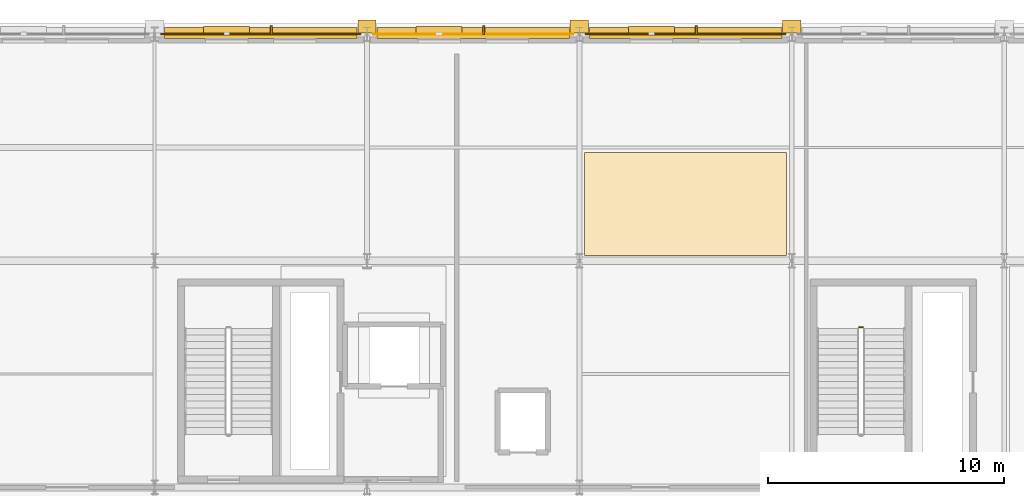
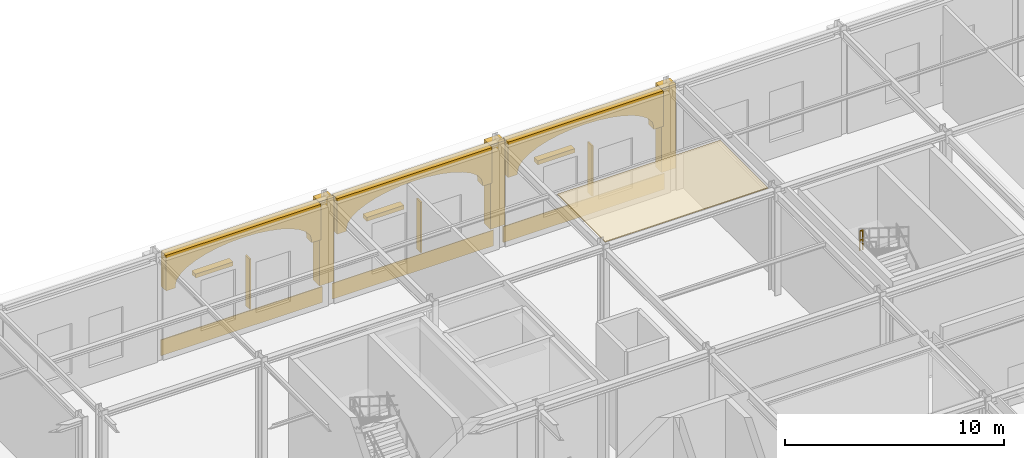
# One storey, part 109 of 113: 10 coverings, 6 shading devices, 1 railing.
"""IFC4 building model written with IfcOpenShell, lengths in metres."""

import ifcopenshell
import ifcopenshell.guid

model = None  # the IFC model being written
_history = None  # IfcOwnerHistory: only IFC2X3 demands one
_inside = {}  # id of a spatial element -> (the spatial element, [elements in it])
_under = {}  # id of a project, library or spatial element -> (it, [spatial elements below it])
_declared = {}  # id of a project -> (the project, [libraries it declares])
_typed = {}  # id of a type object -> (the type object, [elements of that type])
_made_of = {}  # id of a material, layer set ... -> (it, [elements and type objects made of it])


def new_model(schema):
    """Start an empty IFC model of exactly this schema.

    Asked for "IFC4X3", IfcOpenShell would pick the latest addendum, in which some entities
    have other attributes; the version numbers below select the first issue.
    IFC2X3 requires an IfcOwnerHistory on every rooted entity: one is made here for all.
    """
    global model, _history
    if schema == "IFC4X3":
        model = ifcopenshell.file(schema_version=(4, 3, 0, 0))
    else:
        model = ifcopenshell.file(schema=schema)
    _inside.clear()
    _under.clear()
    _declared.clear()
    _typed.clear()
    _made_of.clear()
    _history = None
    if model.schema == "IFC2X3":
        org = make("IfcOrganization", Name="unknown")
        user = make(
            "IfcPersonAndOrganization",
            ThePerson=make("IfcPerson", FamilyName="unknown"),
            TheOrganization=org,
        )
        app = make(
            "IfcApplication",
            ApplicationDeveloper=org,
            Version="unknown",
            ApplicationFullName="unknown",
            ApplicationIdentifier="unknown",
        )
        _history = make(
            "IfcOwnerHistory",
            OwningUser=user,
            OwningApplication=app,
            ChangeAction="ADDED",
            CreationDate=0,
        )
    return model


def make(cls, **values):
    """One entity of the class cls with the attributes given. An attribute that is None is left unset."""
    return model.create_entity(
        cls, **{name: value for name, value in values.items() if value is not None}
    )


def rooted(cls, **values):
    """An entity with a GlobalId (a new one), such as an element, a storey or a relation."""
    return make(cls, GlobalId=ifcopenshell.guid.new(), OwnerHistory=_history, **values)


def si_unit(unit_type, name, prefix=None):
    """IfcSIUnit, for example si_unit("LENGTHUNIT", "METRE", prefix="MILLI")."""
    return make("IfcSIUnit", UnitType=unit_type, Prefix=prefix, Name=name)


def assignment(units):
    """IfcUnitAssignment: the units of a project."""
    return None if units is None else make("IfcUnitAssignment", Units=units)


def point(xyz):
    """IfcCartesianPoint."""
    return None if xyz is None else make("IfcCartesianPoint", Coordinates=xyz)


def direction(xyz):
    """IfcDirection."""
    return None if xyz is None else make("IfcDirection", DirectionRatios=xyz)


def frame(location, z_axis=None, x_axis=None):
    """IfcAxis2Placement3D, a coordinate frame: its origin and axes. An axis left out is left unset."""
    return make(
        "IfcAxis2Placement3D",
        Location=point(location),
        Axis=direction(z_axis),
        RefDirection=direction(x_axis),
    )


def frame_2d(location, x_axis=None):
    """IfcAxis2Placement2D, a coordinate frame in the plane: its origin and x axis."""
    return make(
        "IfcAxis2Placement2D", Location=point(location), RefDirection=direction(x_axis)
    )


def origin():
    """The frame at (0, 0, 0) with its axes left unset."""
    return frame((0.0, 0.0, 0.0))


def origin_2d():
    """The frame at (0, 0) in the plane with its x axis left unset."""
    return frame_2d((0.0, 0.0))


def place(relative_to, where):
    """IfcLocalPlacement: puts the frame where relative to a parent placement (None: the world)."""
    return make(
        "IfcLocalPlacement", PlacementRelTo=relative_to, RelativePlacement=where
    )


def context(
    kind, dimensions, precision=None, world=None, true_north=None, identifier=None
):
    """IfcGeometricRepresentationContext, for example the 3D "Model" context."""
    return make(
        "IfcGeometricRepresentationContext",
        ContextIdentifier=identifier,
        ContextType=kind,
        CoordinateSpaceDimension=dimensions,
        Precision=precision,
        WorldCoordinateSystem=world,
        TrueNorth=true_north,
    )


def subcontext(parent, identifier, kind, view, scale=None):
    """IfcGeometricRepresentationSubContext, for example "Body" below "Model"."""
    return make(
        "IfcGeometricRepresentationSubContext",
        ContextIdentifier=identifier,
        ContextType=kind,
        ParentContext=parent,
        TargetScale=scale,
        TargetView=view,
    )


def project(units=None, contexts=None):
    """IfcProject with its units and contexts."""
    return rooted(
        "IfcProject",
        Name="project",
        RepresentationContexts=contexts,
        UnitsInContext=assignment(units),
    )


def spatial(cls, under=None, at=None, **own):
    """A site, building, storey or space (cls), placed at a placement, below another one or the project."""
    s = rooted(cls, ObjectPlacement=at, **own)
    if under is not None:
        _under.setdefault(under.id(), (under, []))[1].append(s)
    return s


def polyline(points):
    """IfcPolyline through the points."""
    return make("IfcPolyline", Points=[point(p) for p in points])


def profile(cls, at=None, kind="AREA", **sizes):
    """A parametric profile (cls). Its sizes go by their IFC names, for example OverallWidth=200.0."""
    return make(cls, ProfileType=kind, Position=at, **sizes)


def rectangle(**sizes):
    """IfcRectangleProfileDef."""
    return profile("IfcRectangleProfileDef", **sizes)


def outline(outer, holes=None, kind="AREA"):
    """IfcArbitraryClosedProfileDef: a profile drawn as a closed curve; with holes, ...WithVoids."""
    if holes is None:
        return make("IfcArbitraryClosedProfileDef", ProfileType=kind, OuterCurve=outer)
    return make(
        "IfcArbitraryProfileDefWithVoids",
        ProfileType=kind,
        OuterCurve=outer,
        InnerCurves=holes,
    )


def extrude(swept, where, along, depth):
    """IfcExtrudedAreaSolid: the profile swept, set in the frame where, extruded along a direction by depth."""
    return make(
        "IfcExtrudedAreaSolid",
        SweptArea=swept,
        Position=where,
        ExtrudedDirection=direction(along),
        Depth=depth,
    )


def shape(context_of_items, identifier, shape_type, items):
    """IfcShapeRepresentation: the items that make up one representation, for example the "Body"."""
    return make(
        "IfcShapeRepresentation",
        ContextOfItems=context_of_items,
        RepresentationIdentifier=identifier,
        RepresentationType=shape_type,
        Items=items,
    )


def material(Name=None, Category=None):
    """IfcMaterial."""
    return make("IfcMaterial", Name=Name, Category=Category)


def layer(
    of_material, thickness, ventilated=None, Name=None, Category=None, Priority=None
):
    """IfcMaterialLayer: one layer of a wall or slab, of a material (None: an air gap)."""
    return make(
        "IfcMaterialLayer",
        Material=of_material,
        LayerThickness=thickness,
        IsVentilated=ventilated,
        Name=Name,
        Category=Category,
        Priority=Priority,
    )


def layer_set(layers, Name=None):
    """IfcMaterialLayerSet."""
    return make("IfcMaterialLayerSet", MaterialLayers=layers, LayerSetName=Name)


def made_of(thing, what):
    """Note that an element or type object is made of a material, layer set ...; save() writes the relation."""
    if what is not None:
        _made_of.setdefault(what.id(), (what, []))[1].append(thing)
    return thing


def type_object(cls, material=None, **own):
    """A type object (cls), such as IfcWallType, which elements share."""
    return made_of(rooted(cls, **own), material)


def element(
    cls,
    number,
    at=None,
    inside=None,
    cuts=None,
    type_object=None,
    material=None,
    context=None,
    identifier="Body",
    shape_type=None,
    held_by="IfcProductDefinitionShape",
    body=None,
    shapes=None,
    **own,
):
    """One element of the class cls, such as IfcWall. Its Tag is "e" and its number.

    at: its placement. inside: the storey or other place that contains it. cuts: it is an
    opening in that element (IfcRelVoidsElement). A single representation is given by context,
    identifier, shape_type and body (its items); several are given by shapes. held_by: the class
    of the entity that holds the representations. save() writes the other relations.
    """
    e = rooted(cls, Tag="e%d" % number, ObjectPlacement=at, **own)
    if body is not None:
        shapes = [shape(context, identifier, shape_type, body)]
    if shapes is not None:
        e.Representation = make(held_by, Representations=shapes)
    if inside is not None:
        _inside.setdefault(inside.id(), (inside, []))[1].append(e)
    if cuts is not None:
        rooted(
            "IfcRelVoidsElement", RelatingBuildingElement=cuts, RelatedOpeningElement=e
        )
    if type_object is not None:
        _typed.setdefault(type_object.id(), (type_object, []))[1].append(e)
    return made_of(e, material)


def aggregate(whole, parts):
    """IfcRelAggregates: a whole, such as a stair, and the parts it consists of."""
    return rooted("IfcRelAggregates", RelatingObject=whole, RelatedObjects=parts)


def save(model, path):
    """Write the relations noted so far, then the file.

    IfcRelAggregates (storeys below a building ...), IfcRelContainedInSpatialStructure (elements
    in a storey), IfcRelDefinesByType, IfcRelAssociatesMaterial and IfcRelDeclares: one each for
    every whole, place, type object, material and project.
    """
    for whole, parts in _under.values():
        aggregate(whole, parts)
    for where, things in _inside.values():
        rooted(
            "IfcRelContainedInSpatialStructure",
            RelatedElements=things,
            RelatingStructure=where,
        )
    for kind, things in _typed.values():
        rooted("IfcRelDefinesByType", RelatedObjects=things, RelatingType=kind)
    for what, things in _made_of.values():
        rooted("IfcRelAssociatesMaterial", RelatedObjects=things, RelatingMaterial=what)
    for by, libraries in _declared.values():
        rooted("IfcRelDeclares", RelatingContext=by, RelatedDefinitions=libraries)
    model.write(path)


model = new_model("IFC4")

# Units and contexts
model_context = context("Model", 3, precision=1e-05, world=origin(), true_north=direction((0.0, 1.0)))
body_context = subcontext(model_context, "Body", "Model", "MODEL_VIEW")
ifc_project = project(units=[si_unit("LENGTHUNIT", "METRE"), si_unit("AREAUNIT", "SQUARE_METRE"), si_unit("VOLUMEUNIT", "CUBIC_METRE"), si_unit("PLANEANGLEUNIT", "RADIAN"), si_unit("MASSUNIT", "GRAM", prefix="KILO")], contexts=[model_context])

# Site, building, storey
site_placement = place(None, origin())
site = spatial("IfcSite", under=ifc_project, at=site_placement, CompositionType="ELEMENT")
building_placement = place(site_placement, origin())
building = spatial("IfcBuilding", under=site, at=building_placement, Name="Myrtia Square Station", CompositionType="ELEMENT")
storey_placement = place(building_placement, origin())
storey = spatial("IfcBuildingStorey", under=building, at=storey_placement, Name="L00", CompositionType="ELEMENT", Elevation=0.0)

# Coverings
ifc_material_1 = material(Name="Pentelic marble ashlar", Category="masonry")
ifc_layer_1 = layer(ifc_material_1, 0.4599609375, Name="Pentelic marble ashlar")
ifc_layer_set_1 = layer_set([ifc_layer_1], Name="Pentelic marble ashlar")
covering_type_1 = type_object("IfcCoveringType", Name="COV-ARCH-ASHLAR", PredefinedType="CLADDING", material=ifc_layer_set_1)
for number, where, z_axis, x_axis, name in (
    (1, (126.419921875, 124.85009765625, 3.64990234375), (0.0, 0.0, 1.0), (1.0, 0.0, 0.0), "North boulevard facade arch spandrel 030"),
    (2, (135.419921875, 124.85009765625, 3.64990234375), (0.0, 0.0, 1.0), (1.0, 0.0, 0.0), "North boulevard facade arch spandrel 032"),
    (3, (144.419921875, 124.85009765625, 3.64990234375), (0.0, 0.0, 1.0), (1.0, 0.0, 0.0), "North boulevard facade arch spandrel 034"),
):
    element("IfcCovering", number, at=place(storey_placement, frame(where, z_axis=z_axis, x_axis=x_axis)), inside=storey, type_object=covering_type_1, Name=name, PredefinedType="CLADDING", context=body_context, shape_type="SweptSolid", body=[
        extrude(outline(polyline([(0.0, 0.0), (0.5, 0.0), (0.5, 0.150146484375), (0.56884765625, 0.42333984375), (0.7724609375, 0.685791015625), (1.103271484375, 0.927978515625), (1.548583984375, 1.14013671875), (2.091064453125, 1.314208984375), (2.7099609375, 1.443603515625), (3.381591796875, 1.523193359375), (4.080078125, 1.550048828125), (4.778564453125, 1.523193359375), (5.4501953125, 1.443603515625), (6.069091796875, 1.314208984375), (6.611572265625, 1.14013671875), (7.056884765625, 0.927978515625), (7.3876953125, 0.685791015625), (7.59130859375, 0.42333984375), (7.66015625, 0.150146484375), (7.66015625, 0.0), (8.16015625, 0.0), (8.16015625, 1.97021484375), (0.0, 1.97021484375), (0.0, 0.0)])), frame((0.0, 0.22998046875, 0.0), z_axis=(0.0, -1.0, 0.0), x_axis=(1.0, 0.0, 0.0)), (0.0, 0.0, 1.0), 0.4599609375),
    ])
for number, where, z_axis, x_axis, name in (
    (4, (135.0, 125.1201171875, 0.919921875), (0.0, 0.0, 1.0), (1.0, 0.0, 0.0), "Classical Pentelic ashlar pilaster 071"),
    (5, (144.0, 125.1201171875, 0.919921875), (0.0, 0.0, 1.0), (1.0, 0.0, 0.0), "Classical Pentelic ashlar pilaster 080"),
    (6, (153.0, 125.1201171875, 0.919921875), (0.0, 0.0, 1.0), (1.0, 0.0, 0.0), "Classical Pentelic ashlar pilaster 089"),
):
    element("IfcCovering", number, at=place(storey_placement, frame(where, z_axis=z_axis, x_axis=x_axis)), inside=storey, type_object=covering_type_1, Name=name, PredefinedType="CLADDING", context=body_context, shape_type="SweptSolid", body=[
        extrude(rectangle(XDim=0.780029296875, YDim=0.56005859375, at=origin_2d()), origin(), (0.0, 0.0, 1.0), 4.679931640625),
    ])
ifc_material_2 = material(Name="Acoustic European oak timber", Category="wood")
ifc_layer_2 = layer(ifc_material_2, 0.044921875, Name="Acoustic European oak timber")
ifc_layer_set_2 = layer_set([ifc_layer_2], Name="Acoustic European oak timber")
covering_type_2 = type_object("IfcCoveringType", Name="COV-CEIL-OAK", PredefinedType="CEILING", material=ifc_layer_set_2)
covering_1_placement = place(storey_placement, frame((0.0, 0.0, 5.705078125)))
element("IfcCovering", 7, at=covering_1_placement, inside=storey, type_object=covering_type_2, Name="Acoustic coffer ceiling L00-19", PredefinedType="CEILING", context=body_context, shape_type="SweptSolid", body=[
    extrude(outline(polyline([(144.219970703125, 115.419921875), (144.219970703125, 119.780029296875), (152.780029296875, 119.780029296875), (152.780029296875, 115.419921875), (144.219970703125, 115.419921875)])), origin(), (0.0, 0.0, 1.0), 0.044921875),
])
ifc_layer_3 = layer(ifc_material_1, 0.050048828125, Name="Pentelic marble ashlar")
ifc_layer_set_3 = layer_set([ifc_layer_3], Name="Pentelic marble ashlar")
covering_type_3 = type_object("IfcCoveringType", Name="COV-CLAD-ASHLAR", PredefinedType="CLADDING", material=ifc_layer_set_3)
for number, where, z_axis, x_axis, name in (
    (8, (130.5, 124.804931640625, 0.0), (0.0, 0.0, 1.0), (1.0, 0.0, 0.0), "Spanish Colonial Revival dado cladding 019"),
    (9, (148.5, 124.804931640625, 0.0), (0.0, 0.0, 1.0), (1.0, 0.0, 0.0), "Spanish Colonial Revival dado cladding 021"),
):
    element("IfcCovering", number, at=place(storey_placement, frame(where, z_axis=z_axis, x_axis=x_axis)), inside=storey, type_object=covering_type_3, Name=name, PredefinedType="CLADDING", context=body_context, shape_type="SweptSolid", body=[
        extrude(rectangle(XDim=8.489990234375, YDim=0.050048828125, at=origin_2d()), origin(), (0.0, 0.0, 1.0), 0.8798828125),
    ])
ifc_material_3 = material(Name="Polychrome glazed ceramic tile", Category="masonry")
ifc_layer_4 = layer(ifc_material_3, 0.034912109375, Name="Polychrome glazed ceramic tile")
ifc_layer_set_4 = layer_set([ifc_layer_4], Name="Polychrome glazed ceramic tile")
covering_type_4 = type_object("IfcCoveringType", Name="COV-CLAD-FAIENCE", PredefinedType="CLADDING", material=ifc_layer_set_4)
covering_2_placement = place(storey_placement, frame((139.5, 124.797607421875, 0.0), z_axis=(0.0, 0.0, 1.0), x_axis=(1.0, 0.0, 0.0)))
element("IfcCovering", 10, at=covering_2_placement, inside=storey, type_object=covering_type_4, Name="Spanish Colonial Revival dado cladding 020", PredefinedType="CLADDING", context=body_context, shape_type="SweptSolid", body=[
    extrude(rectangle(XDim=8.489990234375, YDim=0.034912109375, at=origin_2d()), origin(), (0.0, 0.0, 1.0), 0.8798828125),
])

# Railing
ifc_material_4 = material(Name="Wrought iron", Category="steel")
railing_type = type_object("IfcRailingType", Name="RL-INT-GUARD-1100", PredefinedType="BALUSTRADE", material=ifc_material_4)
railing_placement = place(storey_placement, frame((156.010009765625, 112.3798828125, 3.0)))
element("IfcRailing", 11, at=railing_placement, inside=storey, type_object=railing_type, Name="L00 ST15 stair guard 2", PredefinedType="BALUSTRADE", context=body_context, shape_type="SweptSolid", body=[
    extrude(rectangle(XDim=0.048095703125, YDim=0.048095703125, at=origin_2d()), frame((-0.03466796875, 0.0, 1.09619140625), z_axis=(-1.0, 0.0, 0.0), x_axis=(0.0, -1.0, 0.0)), (0.0, 0.0, 1.0), 0.090576171875),
    extrude(rectangle(XDim=0.048095703125, YDim=0.048095703125, at=origin_2d()), frame((-0.03466796875, 0.0, 0.58251953125), z_axis=(-1.0, 0.0, 0.0), x_axis=(0.0, -1.0, 0.0)), (0.0, 0.0, 1.0), 0.090576171875),
    extrude(rectangle(XDim=0.0439453125, YDim=0.0439453125, at=origin_2d()), origin(), (0.0, 0.0, 1.0), 1.1201171875),
    extrude(rectangle(XDim=0.0439453125, YDim=0.0439453125, at=origin_2d()), frame((-0.159912109375, 0.0, 0.0)), (0.0, 0.0, 1.0), 1.1201171875),
])

# Shading devices
ifc_material_5 = material(Name="Dark bronze anodised aluminium", Category="aluminium")
shading_device_type_1 = type_object("IfcShadingDeviceType", Name="SHD-FIN-BRONZE", PredefinedType="USERDEFINED", material=ifc_material_5)
for number, where, z_axis, x_axis, name in (
    (12, (130.947998046875, 124.969970703125, 0.9501953125), (0.0, 0.0, 1.0), (1.0, 0.0, 0.0), "Vertical bronze solar fin SHF-032"),
    (13, (139.947998046875, 124.969970703125, 0.9501953125), (0.0, 0.0, 1.0), (1.0, 0.0, 0.0), "Vertical bronze solar fin SHF-033"),
    (14, (148.947998046875, 124.969970703125, 0.9501953125), (0.0, 0.0, 1.0), (1.0, 0.0, 0.0), "Vertical bronze solar fin SHF-034"),
):
    element("IfcShadingDevice", number, at=place(storey_placement, frame(where, z_axis=z_axis, x_axis=x_axis)), inside=storey, type_object=shading_device_type_1, Name=name, ObjectType="FIN", PredefinedType="USERDEFINED", context=body_context, shape_type="SweptSolid", body=[
        extrude(rectangle(XDim=0.080078125, YDim=0.389892578125, at=origin_2d()), origin(), (0.0, 0.0, 1.0), 2.800048828125),
    ])
shading_device_type_2 = type_object("IfcShadingDeviceType", Name="SHD-JALOUSIE-BRONZE", PredefinedType="JALOUSIE", material=ifc_material_5)
for number, where, z_axis, x_axis, name in (
    (15, (129.052001953125, 124.949951171875, 3.68994140625), (0.0, 0.0, 1.0), (1.0, 0.0, 0.0), "Mediterranean bronze solar louvre SHL-032"),
    (16, (138.052001953125, 124.949951171875, 3.68994140625), (0.0, 0.0, 1.0), (1.0, 0.0, 0.0), "Mediterranean bronze solar louvre SHL-033"),
    (17, (147.052001953125, 124.949951171875, 3.68994140625), (0.0, 0.0, 1.0), (1.0, 0.0, 0.0), "Mediterranean bronze solar louvre SHL-034"),
):
    element("IfcShadingDevice", number, at=place(storey_placement, frame(where, z_axis=z_axis, x_axis=x_axis)), inside=storey, type_object=shading_device_type_2, Name=name, PredefinedType="JALOUSIE", context=body_context, shape_type="SweptSolid", body=[
        extrude(rectangle(XDim=1.9599609375, YDim=0.35009765625, at=origin_2d()), origin(), (0.0, 0.0, 1.0), 0.219970703125),
    ])

save(model, "model.ifc")
